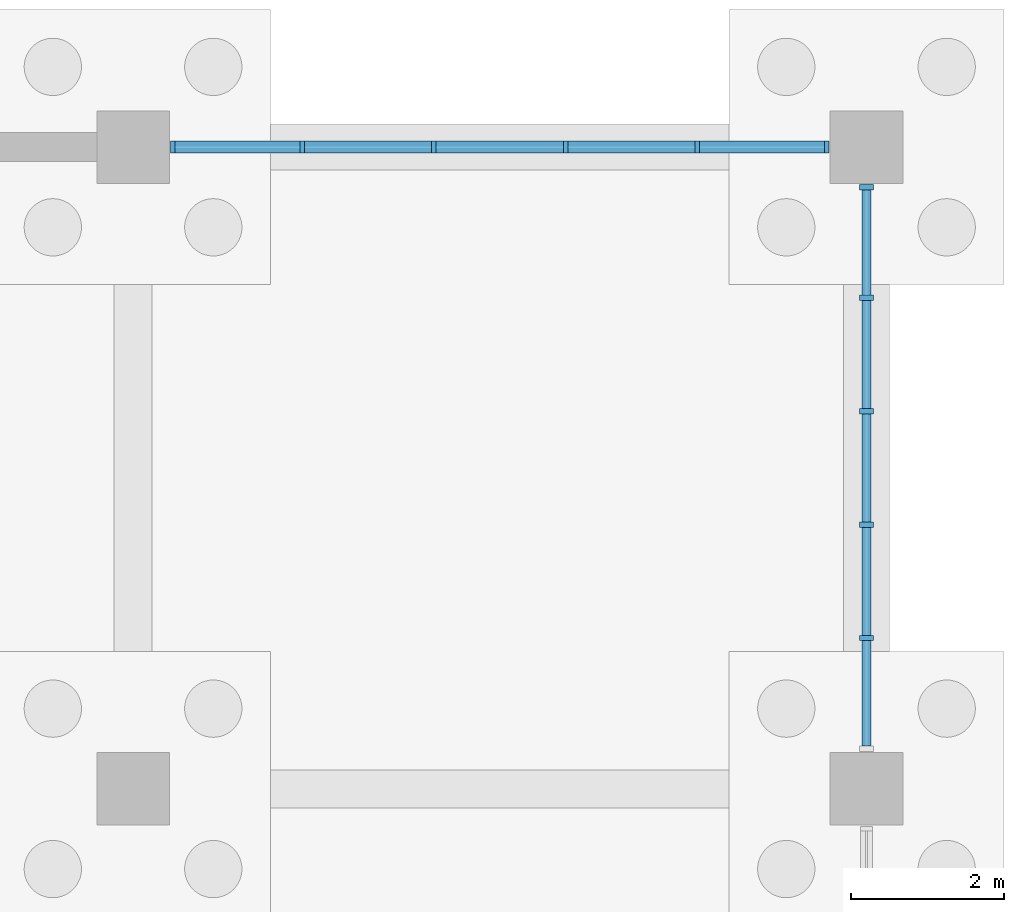
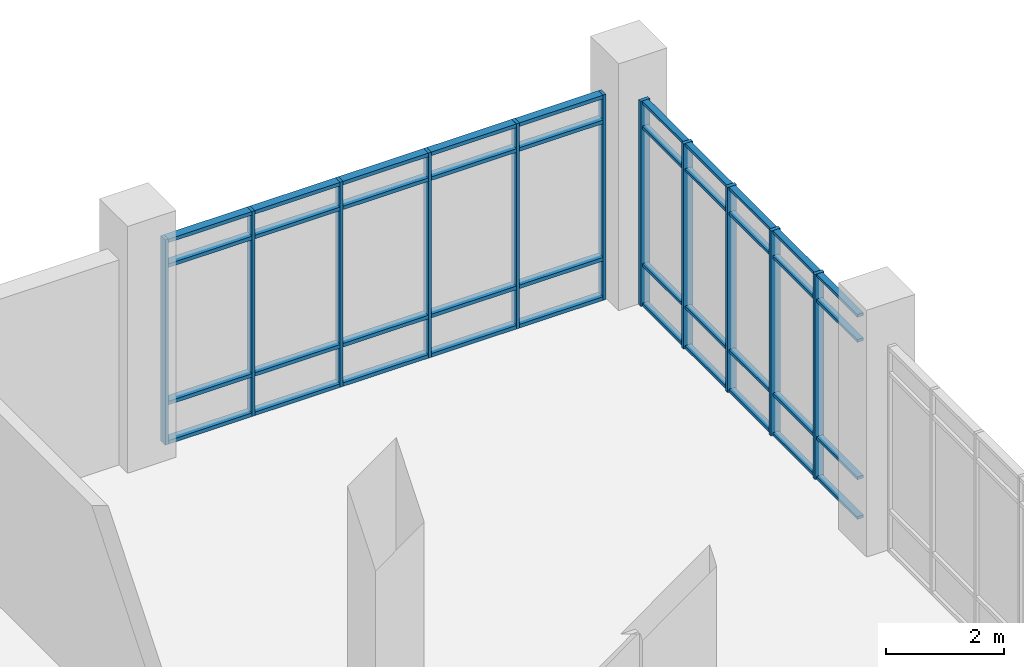
# One storey, part 72 of 136: 51 members, 2 elements without a shape of their own.
"""IFC4 building model written with IfcOpenShell, lengths in metres."""

from ifc_helpers import new_model, si_unit, direction, frame, origin, origin_2d, place, context, subcontext, project, spatial, rectangle, extrude, material, material_profile, profile_set, type_object, element, aggregate, save


model = new_model("IFC4")

# Units and contexts
model_context = context("Model", 3, precision=1e-05, world=origin(), true_north=direction((0.0, 1.0)))
body_context = subcontext(model_context, "Body", "Model", "MODEL_VIEW")
ifc_project = project(units=[si_unit("LENGTHUNIT", "METRE"), si_unit("AREAUNIT", "SQUARE_METRE"), si_unit("VOLUMEUNIT", "CUBIC_METRE"), si_unit("PLANEANGLEUNIT", "RADIAN"), si_unit("MASSUNIT", "GRAM", prefix="KILO")], contexts=[model_context])

# Site, building, storey
site_placement = place(None, origin())
site = spatial("IfcSite", under=ifc_project, at=site_placement, CompositionType="ELEMENT")
building_placement = place(site_placement, origin())
building = spatial("IfcBuilding", under=site, at=building_placement, Name="Oolite Switchyard Hospital", CompositionType="ELEMENT")
storey_placement = place(building_placement, origin())
storey = spatial("IfcBuildingStorey", under=building, at=storey_placement, Name="L00", CompositionType="ELEMENT", Elevation=0.0)

# Curtain wall, members
ifc_material_1 = material(Name="Thermally broken aluminum frame with laminated impact glazing", Category="aluminium")
curtain_wall_type_1 = type_object("IfcCurtainWallType", Name="CW-UNIT-96X51", PredefinedType="USERDEFINED", material=ifc_material_1)
curtain_wall_1_placement = place(storey_placement, origin())
curtain_wall_1 = element("IfcCurtainWall", 1, at=curtain_wall_1_placement, inside=storey, type_object=curtain_wall_type_1, Name="L00 Unitised Curtain Wall 51", ObjectType="UNITISED", PredefinedType="USERDEFINED")
ifc_material_2 = material(Name="Aluminium 6063-T6", Category="aluminium")
ifc_material_profile_1 = material_profile(ifc_material_2, rectangle(XDim=0.159912109375, YDim=0.06005859375, at=origin_2d()), Name="CWM60X160")
ifc_profile_set_1 = profile_set([ifc_material_profile_1], Name="Aluminium 6063-T6")
member_type_1 = type_object("IfcMemberType", Name="CW-MUL-180", PredefinedType="MULLION", material=ifc_profile_set_1)
member_1_placement = place(storey_placement, frame((202.1201171875, 134.39990234375, 0.0), z_axis=(0.0, 0.0, 1.0), x_axis=(0.0, 1.0, 0.0)))
member_1 = element("IfcMember", 2, at=member_1_placement, type_object=member_type_1, Name="CW-01 mullion 1", PredefinedType="MULLION", context=body_context, shape_type="SweptSolid", body=[
    extrude(rectangle(XDim=0.159912109375, YDim=0.06005859375, at=origin_2d()), origin(), (0.0, 0.0, 1.0), 4.239990234375),
])
member_2_placement = place(storey_placement, frame((203.81396484375, 134.39990234375, 0.0), z_axis=(0.0, 0.0, 1.0), x_axis=(0.0, 1.0, 0.0)))
member_2 = element("IfcMember", 3, at=member_2_placement, type_object=member_type_1, Name="CW-01 mullion 2", PredefinedType="MULLION", context=body_context, shape_type="SweptSolid", body=[
    extrude(rectangle(XDim=0.159912109375, YDim=0.06005859375, at=origin_2d()), origin(), (0.0, 0.0, 1.0), 4.239990234375),
])
member_3_placement = place(storey_placement, frame((205.5380859375, 134.39990234375, 0.0), z_axis=(0.0, 0.0, 1.0), x_axis=(0.0, 1.0, 0.0)))
member_3 = element("IfcMember", 4, at=member_3_placement, type_object=member_type_1, Name="CW-01 mullion 3", PredefinedType="MULLION", context=body_context, shape_type="SweptSolid", body=[
    extrude(rectangle(XDim=0.159912109375, YDim=0.06005859375, at=origin_2d()), origin(), (0.0, 0.0, 1.0), 4.239990234375),
])
member_4_placement = place(storey_placement, frame((207.261962890625, 134.39990234375, 0.0), z_axis=(0.0, 0.0, 1.0), x_axis=(0.0, 1.0, 0.0)))
member_4 = element("IfcMember", 5, at=member_4_placement, type_object=member_type_1, Name="CW-01 mullion 4", PredefinedType="MULLION", context=body_context, shape_type="SweptSolid", body=[
    extrude(rectangle(XDim=0.159912109375, YDim=0.06005859375, at=origin_2d()), origin(), (0.0, 0.0, 1.0), 4.239990234375),
])
member_5_placement = place(storey_placement, frame((208.986083984375, 134.39990234375, 0.0), z_axis=(0.0, 0.0, 1.0), x_axis=(0.0, 1.0, 0.0)))
member_5 = element("IfcMember", 6, at=member_5_placement, type_object=member_type_1, Name="CW-01 mullion 5", PredefinedType="MULLION", context=body_context, shape_type="SweptSolid", body=[
    extrude(rectangle(XDim=0.159912109375, YDim=0.06005859375, at=origin_2d()), origin(), (0.0, 0.0, 1.0), 4.239990234375),
])
member_6_placement = place(storey_placement, frame((210.679931640625, 134.39990234375, 0.0), z_axis=(0.0, 0.0, 1.0), x_axis=(0.0, 1.0, 0.0)))
member_6 = element("IfcMember", 7, at=member_6_placement, type_object=member_type_1, Name="CW-01 mullion 6", PredefinedType="MULLION", context=body_context, shape_type="SweptSolid", body=[
    extrude(rectangle(XDim=0.159912109375, YDim=0.06005859375, at=origin_2d()), origin(), (0.0, 0.0, 1.0), 4.239990234375),
])

curtain_wall_type_2 = type_object("IfcCurtainWallType", Name="CW-UNIT-84X51", PredefinedType="USERDEFINED", material=ifc_material_1)
curtain_wall_2_placement = place(storey_placement, origin())
curtain_wall_2 = element("IfcCurtainWall", 8, at=curtain_wall_2_placement, inside=storey, type_object=curtain_wall_type_2, Name="L00 Unitised Curtain Wall 94", ObjectType="UNITISED", PredefinedType="USERDEFINED")
ifc_material_profile_2 = material_profile(ifc_material_2, rectangle(XDim=0.179931640625, YDim=0.070068359375, at=origin_2d()), Name="CWM70X180")
ifc_profile_set_2 = profile_set([ifc_material_profile_2], Name="Aluminium 6063-T6")
member_type_2 = type_object("IfcMemberType", Name="CW-MUL-220", PredefinedType="MULLION", material=ifc_profile_set_2)
member_7_placement = place(storey_placement, frame((211.199951171875, 133.875, 0.0), z_axis=(0.0, 0.0, 1.0), x_axis=(1.0, 0.0, 0.0)))
member_7 = element("IfcMember", 9, at=member_7_placement, type_object=member_type_2, Name="CW-06 mullion 1", PredefinedType="MULLION", context=body_context, shape_type="SweptSolid", body=[
    extrude(rectangle(XDim=0.179931640625, YDim=0.070068359375, at=origin_2d()), origin(), (0.0, 0.0, 1.0), 4.239990234375),
])
member_8_placement = place(storey_placement, frame((211.199951171875, 132.426025390625, 0.0), z_axis=(0.0, 0.0, 1.0), x_axis=(1.0, 0.0, 0.0)))
member_8 = element("IfcMember", 10, at=member_8_placement, type_object=member_type_2, Name="CW-06 mullion 2", PredefinedType="MULLION", context=body_context, shape_type="SweptSolid", body=[
    extrude(rectangle(XDim=0.179931640625, YDim=0.070068359375, at=origin_2d()), origin(), (0.0, 0.0, 1.0), 4.239990234375),
])
member_9_placement = place(storey_placement, frame((211.199951171875, 130.94189453125, 0.0), z_axis=(0.0, 0.0, 1.0), x_axis=(1.0, 0.0, 0.0)))
member_9 = element("IfcMember", 11, at=member_9_placement, type_object=member_type_2, Name="CW-06 mullion 3", PredefinedType="MULLION", context=body_context, shape_type="SweptSolid", body=[
    extrude(rectangle(XDim=0.179931640625, YDim=0.070068359375, at=origin_2d()), origin(), (0.0, 0.0, 1.0), 4.239990234375),
])
member_10_placement = place(storey_placement, frame((211.199951171875, 129.4580078125, 0.0), z_axis=(0.0, 0.0, 1.0), x_axis=(1.0, 0.0, 0.0)))
member_10 = element("IfcMember", 12, at=member_10_placement, type_object=member_type_2, Name="CW-06 mullion 4", PredefinedType="MULLION", context=body_context, shape_type="SweptSolid", body=[
    extrude(rectangle(XDim=0.179931640625, YDim=0.070068359375, at=origin_2d()), origin(), (0.0, 0.0, 1.0), 4.239990234375),
])
member_11_placement = place(storey_placement, frame((211.199951171875, 127.97412109375, 0.0), z_axis=(0.0, 0.0, 1.0), x_axis=(1.0, 0.0, 0.0)))
member_11 = element("IfcMember", 13, at=member_11_placement, type_object=member_type_2, Name="CW-06 mullion 5", PredefinedType="MULLION", context=body_context, shape_type="SweptSolid", body=[
    extrude(rectangle(XDim=0.179931640625, YDim=0.070068359375, at=origin_2d()), origin(), (0.0, 0.0, 1.0), 4.239990234375),
])
ifc_material_profile_3 = material_profile(ifc_material_2, rectangle(XDim=0.1201171875, YDim=0.06005859375, at=origin_2d()), Name="CWT60X120")
ifc_profile_set_3 = profile_set([ifc_material_profile_3], Name="Aluminium 6063-T6")
member_type_3 = type_object("IfcMemberType", Name="CW-TRN-150", PredefinedType="USERDEFINED", material=ifc_profile_set_3)
member_12_placement = place(storey_placement, frame((211.199951171875, 133.840087890625, 0.030029296875), z_axis=(0.0, -1.0, 0.0), x_axis=(1.0, 0.0, 0.0)))
member_12 = element("IfcMember", 14, at=member_12_placement, type_object=member_type_3, Name="CW-06 transom 1.1", ObjectType="TRANSOM", PredefinedType="USERDEFINED", context=body_context, shape_type="SweptSolid", body=[
    extrude(rectangle(XDim=0.1201171875, YDim=0.06005859375, at=origin_2d()), origin(), (0.0, 0.0, 1.0), 1.379150390625),
])
member_13_placement = place(storey_placement, frame((211.199951171875, 133.840087890625, 0.85009765625), z_axis=(0.0, -1.0, 0.0), x_axis=(1.0, 0.0, 0.0)))
member_13 = element("IfcMember", 15, at=member_13_placement, type_object=member_type_3, Name="CW-06 transom 1.2", ObjectType="TRANSOM", PredefinedType="USERDEFINED", context=body_context, shape_type="SweptSolid", body=[
    extrude(rectangle(XDim=0.1201171875, YDim=0.06005859375, at=origin_2d()), origin(), (0.0, 0.0, 1.0), 1.379150390625),
])
member_14_placement = place(storey_placement, frame((211.199951171875, 133.840087890625, 3.68994140625), z_axis=(0.0, -1.0, 0.0), x_axis=(1.0, 0.0, 0.0)))
member_14 = element("IfcMember", 16, at=member_14_placement, type_object=member_type_3, Name="CW-06 transom 1.3", ObjectType="TRANSOM", PredefinedType="USERDEFINED", context=body_context, shape_type="SweptSolid", body=[
    extrude(rectangle(XDim=0.1201171875, YDim=0.06005859375, at=origin_2d()), origin(), (0.0, 0.0, 1.0), 1.379150390625),
])
member_15_placement = place(storey_placement, frame((211.199951171875, 133.840087890625, 4.2099609375), z_axis=(0.0, -1.0, 0.0), x_axis=(1.0, 0.0, 0.0)))
member_15 = element("IfcMember", 17, at=member_15_placement, type_object=member_type_3, Name="CW-06 transom 1.4", ObjectType="TRANSOM", PredefinedType="USERDEFINED", context=body_context, shape_type="SweptSolid", body=[
    extrude(rectangle(XDim=0.1201171875, YDim=0.06005859375, at=origin_2d()), origin(), (0.0, 0.0, 1.0), 1.379150390625),
])
member_16_placement = place(storey_placement, frame((211.199951171875, 132.39111328125, 0.030029296875), z_axis=(0.0, -1.0, 0.0), x_axis=(1.0, 0.0, 0.0)))
member_16 = element("IfcMember", 18, at=member_16_placement, type_object=member_type_3, Name="CW-06 transom 2.1", ObjectType="TRANSOM", PredefinedType="USERDEFINED", context=body_context, shape_type="SweptSolid", body=[
    extrude(rectangle(XDim=0.1201171875, YDim=0.06005859375, at=origin_2d()), origin(), (0.0, 0.0, 1.0), 1.4140625),
])
member_17_placement = place(storey_placement, frame((211.199951171875, 132.39111328125, 0.85009765625), z_axis=(0.0, -1.0, 0.0), x_axis=(1.0, 0.0, 0.0)))
member_17 = element("IfcMember", 19, at=member_17_placement, type_object=member_type_3, Name="CW-06 transom 2.2", ObjectType="TRANSOM", PredefinedType="USERDEFINED", context=body_context, shape_type="SweptSolid", body=[
    extrude(rectangle(XDim=0.1201171875, YDim=0.06005859375, at=origin_2d()), origin(), (0.0, 0.0, 1.0), 1.4140625),
])
member_18_placement = place(storey_placement, frame((211.199951171875, 132.39111328125, 3.68994140625), z_axis=(0.0, -1.0, 0.0), x_axis=(1.0, 0.0, 0.0)))
member_18 = element("IfcMember", 20, at=member_18_placement, type_object=member_type_3, Name="CW-06 transom 2.3", ObjectType="TRANSOM", PredefinedType="USERDEFINED", context=body_context, shape_type="SweptSolid", body=[
    extrude(rectangle(XDim=0.1201171875, YDim=0.06005859375, at=origin_2d()), origin(), (0.0, 0.0, 1.0), 1.4140625),
])
member_19_placement = place(storey_placement, frame((211.199951171875, 132.39111328125, 4.2099609375), z_axis=(0.0, -1.0, 0.0), x_axis=(1.0, 0.0, 0.0)))
member_19 = element("IfcMember", 21, at=member_19_placement, type_object=member_type_3, Name="CW-06 transom 2.4", ObjectType="TRANSOM", PredefinedType="USERDEFINED", context=body_context, shape_type="SweptSolid", body=[
    extrude(rectangle(XDim=0.1201171875, YDim=0.06005859375, at=origin_2d()), origin(), (0.0, 0.0, 1.0), 1.4140625),
])
member_20_placement = place(storey_placement, frame((211.199951171875, 130.906982421875, 0.030029296875), z_axis=(0.0, -1.0, 0.0), x_axis=(1.0, 0.0, 0.0)))
member_20 = element("IfcMember", 22, at=member_20_placement, type_object=member_type_3, Name="CW-06 transom 3.1", ObjectType="TRANSOM", PredefinedType="USERDEFINED", context=body_context, shape_type="SweptSolid", body=[
    extrude(rectangle(XDim=0.1201171875, YDim=0.06005859375, at=origin_2d()), origin(), (0.0, 0.0, 1.0), 1.4140625),
])
member_21_placement = place(storey_placement, frame((211.199951171875, 130.906982421875, 0.85009765625), z_axis=(0.0, -1.0, 0.0), x_axis=(1.0, 0.0, 0.0)))
member_21 = element("IfcMember", 23, at=member_21_placement, type_object=member_type_3, Name="CW-06 transom 3.2", ObjectType="TRANSOM", PredefinedType="USERDEFINED", context=body_context, shape_type="SweptSolid", body=[
    extrude(rectangle(XDim=0.1201171875, YDim=0.06005859375, at=origin_2d()), origin(), (0.0, 0.0, 1.0), 1.4140625),
])
member_22_placement = place(storey_placement, frame((211.199951171875, 130.906982421875, 3.68994140625), z_axis=(0.0, -1.0, 0.0), x_axis=(1.0, 0.0, 0.0)))
member_22 = element("IfcMember", 24, at=member_22_placement, type_object=member_type_3, Name="CW-06 transom 3.3", ObjectType="TRANSOM", PredefinedType="USERDEFINED", context=body_context, shape_type="SweptSolid", body=[
    extrude(rectangle(XDim=0.1201171875, YDim=0.06005859375, at=origin_2d()), origin(), (0.0, 0.0, 1.0), 1.4140625),
])
member_23_placement = place(storey_placement, frame((211.199951171875, 130.906982421875, 4.2099609375), z_axis=(0.0, -1.0, 0.0), x_axis=(1.0, 0.0, 0.0)))
member_23 = element("IfcMember", 25, at=member_23_placement, type_object=member_type_3, Name="CW-06 transom 3.4", ObjectType="TRANSOM", PredefinedType="USERDEFINED", context=body_context, shape_type="SweptSolid", body=[
    extrude(rectangle(XDim=0.1201171875, YDim=0.06005859375, at=origin_2d()), origin(), (0.0, 0.0, 1.0), 1.4140625),
])
member_24_placement = place(storey_placement, frame((211.199951171875, 129.423095703125, 0.030029296875), z_axis=(0.0, -1.0, 0.0), x_axis=(1.0, 0.0, 0.0)))
member_24 = element("IfcMember", 26, at=member_24_placement, type_object=member_type_3, Name="CW-06 transom 4.1", ObjectType="TRANSOM", PredefinedType="USERDEFINED", context=body_context, shape_type="SweptSolid", body=[
    extrude(rectangle(XDim=0.1201171875, YDim=0.06005859375, at=origin_2d()), origin(), (0.0, 0.0, 1.0), 1.4140625),
])
member_25_placement = place(storey_placement, frame((211.199951171875, 129.423095703125, 0.85009765625), z_axis=(0.0, -1.0, 0.0), x_axis=(1.0, 0.0, 0.0)))
member_25 = element("IfcMember", 27, at=member_25_placement, type_object=member_type_3, Name="CW-06 transom 4.2", ObjectType="TRANSOM", PredefinedType="USERDEFINED", context=body_context, shape_type="SweptSolid", body=[
    extrude(rectangle(XDim=0.1201171875, YDim=0.06005859375, at=origin_2d()), origin(), (0.0, 0.0, 1.0), 1.4140625),
])
member_26_placement = place(storey_placement, frame((211.199951171875, 129.423095703125, 3.68994140625), z_axis=(0.0, -1.0, 0.0), x_axis=(1.0, 0.0, 0.0)))
member_26 = element("IfcMember", 28, at=member_26_placement, type_object=member_type_3, Name="CW-06 transom 4.3", ObjectType="TRANSOM", PredefinedType="USERDEFINED", context=body_context, shape_type="SweptSolid", body=[
    extrude(rectangle(XDim=0.1201171875, YDim=0.06005859375, at=origin_2d()), origin(), (0.0, 0.0, 1.0), 1.4140625),
])
member_27_placement = place(storey_placement, frame((211.199951171875, 129.423095703125, 4.2099609375), z_axis=(0.0, -1.0, 0.0), x_axis=(1.0, 0.0, 0.0)))
member_27 = element("IfcMember", 29, at=member_27_placement, type_object=member_type_3, Name="CW-06 transom 4.4", ObjectType="TRANSOM", PredefinedType="USERDEFINED", context=body_context, shape_type="SweptSolid", body=[
    extrude(rectangle(XDim=0.1201171875, YDim=0.06005859375, at=origin_2d()), origin(), (0.0, 0.0, 1.0), 1.4140625),
])
member_28_placement = place(storey_placement, frame((211.199951171875, 127.93896484375, 0.030029296875), z_axis=(0.0, -1.0, 0.0), x_axis=(1.0, 0.0, 0.0)))
member_28 = element("IfcMember", 30, at=member_28_placement, type_object=member_type_3, Name="CW-06 transom 5.1", ObjectType="TRANSOM", PredefinedType="USERDEFINED", context=body_context, shape_type="SweptSolid", body=[
    extrude(rectangle(XDim=0.1201171875, YDim=0.06005859375, at=origin_2d()), origin(), (0.0, 0.0, 1.0), 1.37890625),
])
member_29_placement = place(storey_placement, frame((211.199951171875, 127.93896484375, 0.85009765625), z_axis=(0.0, -1.0, 0.0), x_axis=(1.0, 0.0, 0.0)))
member_29 = element("IfcMember", 31, at=member_29_placement, type_object=member_type_3, Name="CW-06 transom 5.2", ObjectType="TRANSOM", PredefinedType="USERDEFINED", context=body_context, shape_type="SweptSolid", body=[
    extrude(rectangle(XDim=0.1201171875, YDim=0.06005859375, at=origin_2d()), origin(), (0.0, 0.0, 1.0), 1.37890625),
])
member_30_placement = place(storey_placement, frame((211.199951171875, 127.93896484375, 3.68994140625), z_axis=(0.0, -1.0, 0.0), x_axis=(1.0, 0.0, 0.0)))
member_30 = element("IfcMember", 32, at=member_30_placement, type_object=member_type_3, Name="CW-06 transom 5.3", ObjectType="TRANSOM", PredefinedType="USERDEFINED", context=body_context, shape_type="SweptSolid", body=[
    extrude(rectangle(XDim=0.1201171875, YDim=0.06005859375, at=origin_2d()), origin(), (0.0, 0.0, 1.0), 1.37890625),
])
member_31_placement = place(storey_placement, frame((211.199951171875, 127.93896484375, 4.2099609375), z_axis=(0.0, -1.0, 0.0), x_axis=(1.0, 0.0, 0.0)))
member_31 = element("IfcMember", 33, at=member_31_placement, type_object=member_type_3, Name="CW-06 transom 5.4", ObjectType="TRANSOM", PredefinedType="USERDEFINED", context=body_context, shape_type="SweptSolid", body=[
    extrude(rectangle(XDim=0.1201171875, YDim=0.06005859375, at=origin_2d()), origin(), (0.0, 0.0, 1.0), 1.37890625),
])
aggregate(curtain_wall_2, [member_7, member_8, member_9, member_10, member_11, member_12, member_13, member_14, member_15, member_16, member_17, member_18, member_19, member_20, member_21, member_22, member_23, member_24, member_25, member_26, member_27, member_28, member_29, member_30, member_31])

# Member
ifc_material_profile_4 = material_profile(ifc_material_2, rectangle(XDim=0.159912109375, YDim=0.074951171875, at=origin_2d()), Name="CWT75X160")
ifc_profile_set_4 = profile_set([ifc_material_profile_4], Name="Aluminium 6063-T6")
member_type_4 = type_object("IfcMemberType", Name="CW-TRN-180", PredefinedType="USERDEFINED", material=ifc_profile_set_4)
member_32_placement = place(storey_placement, frame((202.14990234375, 134.39990234375, 0.03759765625), z_axis=(1.0, 0.0, 0.0), x_axis=(0.0, 1.0, 0.0)))
member_32 = element("IfcMember", 34, at=member_32_placement, type_object=member_type_4, Name="CW-01 transom 1.1", ObjectType="TRANSOM", PredefinedType="USERDEFINED", context=body_context, shape_type="SweptSolid", body=[
    extrude(rectangle(XDim=0.159912109375, YDim=0.074951171875, at=origin_2d()), origin(), (0.0, 0.0, 1.0), 1.634033203125),
])

member_33_placement = place(storey_placement, frame((202.14990234375, 134.39990234375, 0.85009765625), z_axis=(1.0, 0.0, 0.0), x_axis=(0.0, 1.0, 0.0)))
member_33 = element("IfcMember", 35, at=member_33_placement, type_object=member_type_4, Name="CW-01 transom 1.2", ObjectType="TRANSOM", PredefinedType="USERDEFINED", context=body_context, shape_type="SweptSolid", body=[
    extrude(rectangle(XDim=0.159912109375, YDim=0.074951171875, at=origin_2d()), origin(), (0.0, 0.0, 1.0), 1.634033203125),
])

member_34_placement = place(storey_placement, frame((202.14990234375, 134.39990234375, 3.68994140625), z_axis=(1.0, 0.0, 0.0), x_axis=(0.0, 1.0, 0.0)))
member_34 = element("IfcMember", 36, at=member_34_placement, type_object=member_type_4, Name="CW-01 transom 1.3", ObjectType="TRANSOM", PredefinedType="USERDEFINED", context=body_context, shape_type="SweptSolid", body=[
    extrude(rectangle(XDim=0.159912109375, YDim=0.074951171875, at=origin_2d()), origin(), (0.0, 0.0, 1.0), 1.634033203125),
])

member_35_placement = place(storey_placement, frame((202.14990234375, 134.39990234375, 4.202392578125), z_axis=(1.0, 0.0, 0.0), x_axis=(0.0, 1.0, 0.0)))
member_35 = element("IfcMember", 37, at=member_35_placement, type_object=member_type_4, Name="CW-01 transom 1.4", ObjectType="TRANSOM", PredefinedType="USERDEFINED", context=body_context, shape_type="SweptSolid", body=[
    extrude(rectangle(XDim=0.159912109375, YDim=0.074951171875, at=origin_2d()), origin(), (0.0, 0.0, 1.0), 1.634033203125),
])

member_36_placement = place(storey_placement, frame((203.843994140625, 134.39990234375, 0.03759765625), z_axis=(1.0, 0.0, 0.0), x_axis=(0.0, 1.0, 0.0)))
member_36 = element("IfcMember", 38, at=member_36_placement, type_object=member_type_4, Name="CW-01 transom 2.1", ObjectType="TRANSOM", PredefinedType="USERDEFINED", context=body_context, shape_type="SweptSolid", body=[
    extrude(rectangle(XDim=0.159912109375, YDim=0.074951171875, at=origin_2d()), origin(), (0.0, 0.0, 1.0), 1.6640625),
])

member_37_placement = place(storey_placement, frame((203.843994140625, 134.39990234375, 0.85009765625), z_axis=(1.0, 0.0, 0.0), x_axis=(0.0, 1.0, 0.0)))
member_37 = element("IfcMember", 39, at=member_37_placement, type_object=member_type_4, Name="CW-01 transom 2.2", ObjectType="TRANSOM", PredefinedType="USERDEFINED", context=body_context, shape_type="SweptSolid", body=[
    extrude(rectangle(XDim=0.159912109375, YDim=0.074951171875, at=origin_2d()), origin(), (0.0, 0.0, 1.0), 1.6640625),
])

member_38_placement = place(storey_placement, frame((203.843994140625, 134.39990234375, 3.68994140625), z_axis=(1.0, 0.0, 0.0), x_axis=(0.0, 1.0, 0.0)))
member_38 = element("IfcMember", 40, at=member_38_placement, type_object=member_type_4, Name="CW-01 transom 2.3", ObjectType="TRANSOM", PredefinedType="USERDEFINED", context=body_context, shape_type="SweptSolid", body=[
    extrude(rectangle(XDim=0.159912109375, YDim=0.074951171875, at=origin_2d()), origin(), (0.0, 0.0, 1.0), 1.6640625),
])

member_39_placement = place(storey_placement, frame((203.843994140625, 134.39990234375, 4.202392578125), z_axis=(1.0, 0.0, 0.0), x_axis=(0.0, 1.0, 0.0)))
member_39 = element("IfcMember", 41, at=member_39_placement, type_object=member_type_4, Name="CW-01 transom 2.4", ObjectType="TRANSOM", PredefinedType="USERDEFINED", context=body_context, shape_type="SweptSolid", body=[
    extrude(rectangle(XDim=0.159912109375, YDim=0.074951171875, at=origin_2d()), origin(), (0.0, 0.0, 1.0), 1.6640625),
])

member_40_placement = place(storey_placement, frame((205.568115234375, 134.39990234375, 0.03759765625), z_axis=(1.0, 0.0, 0.0), x_axis=(0.0, 1.0, 0.0)))
member_40 = element("IfcMember", 42, at=member_40_placement, type_object=member_type_4, Name="CW-01 transom 3.1", ObjectType="TRANSOM", PredefinedType="USERDEFINED", context=body_context, shape_type="SweptSolid", body=[
    extrude(rectangle(XDim=0.159912109375, YDim=0.074951171875, at=origin_2d()), origin(), (0.0, 0.0, 1.0), 1.663818359375),
])

member_41_placement = place(storey_placement, frame((205.568115234375, 134.39990234375, 0.85009765625), z_axis=(1.0, 0.0, 0.0), x_axis=(0.0, 1.0, 0.0)))
member_41 = element("IfcMember", 43, at=member_41_placement, type_object=member_type_4, Name="CW-01 transom 3.2", ObjectType="TRANSOM", PredefinedType="USERDEFINED", context=body_context, shape_type="SweptSolid", body=[
    extrude(rectangle(XDim=0.159912109375, YDim=0.074951171875, at=origin_2d()), origin(), (0.0, 0.0, 1.0), 1.663818359375),
])

member_42_placement = place(storey_placement, frame((205.568115234375, 134.39990234375, 3.68994140625), z_axis=(1.0, 0.0, 0.0), x_axis=(0.0, 1.0, 0.0)))
member_42 = element("IfcMember", 44, at=member_42_placement, type_object=member_type_4, Name="CW-01 transom 3.3", ObjectType="TRANSOM", PredefinedType="USERDEFINED", context=body_context, shape_type="SweptSolid", body=[
    extrude(rectangle(XDim=0.159912109375, YDim=0.074951171875, at=origin_2d()), origin(), (0.0, 0.0, 1.0), 1.663818359375),
])

member_43_placement = place(storey_placement, frame((205.568115234375, 134.39990234375, 4.202392578125), z_axis=(1.0, 0.0, 0.0), x_axis=(0.0, 1.0, 0.0)))
member_43 = element("IfcMember", 45, at=member_43_placement, type_object=member_type_4, Name="CW-01 transom 3.4", ObjectType="TRANSOM", PredefinedType="USERDEFINED", context=body_context, shape_type="SweptSolid", body=[
    extrude(rectangle(XDim=0.159912109375, YDim=0.074951171875, at=origin_2d()), origin(), (0.0, 0.0, 1.0), 1.663818359375),
])

member_44_placement = place(storey_placement, frame((207.2919921875, 134.39990234375, 0.03759765625), z_axis=(1.0, 0.0, 0.0), x_axis=(0.0, 1.0, 0.0)))
member_44 = element("IfcMember", 46, at=member_44_placement, type_object=member_type_4, Name="CW-01 transom 4.1", ObjectType="TRANSOM", PredefinedType="USERDEFINED", context=body_context, shape_type="SweptSolid", body=[
    extrude(rectangle(XDim=0.159912109375, YDim=0.074951171875, at=origin_2d()), origin(), (0.0, 0.0, 1.0), 1.6640625),
])

member_45_placement = place(storey_placement, frame((207.2919921875, 134.39990234375, 0.85009765625), z_axis=(1.0, 0.0, 0.0), x_axis=(0.0, 1.0, 0.0)))
member_45 = element("IfcMember", 47, at=member_45_placement, type_object=member_type_4, Name="CW-01 transom 4.2", ObjectType="TRANSOM", PredefinedType="USERDEFINED", context=body_context, shape_type="SweptSolid", body=[
    extrude(rectangle(XDim=0.159912109375, YDim=0.074951171875, at=origin_2d()), origin(), (0.0, 0.0, 1.0), 1.6640625),
])

member_46_placement = place(storey_placement, frame((207.2919921875, 134.39990234375, 3.68994140625), z_axis=(1.0, 0.0, 0.0), x_axis=(0.0, 1.0, 0.0)))
member_46 = element("IfcMember", 48, at=member_46_placement, type_object=member_type_4, Name="CW-01 transom 4.3", ObjectType="TRANSOM", PredefinedType="USERDEFINED", context=body_context, shape_type="SweptSolid", body=[
    extrude(rectangle(XDim=0.159912109375, YDim=0.074951171875, at=origin_2d()), origin(), (0.0, 0.0, 1.0), 1.6640625),
])

member_47_placement = place(storey_placement, frame((207.2919921875, 134.39990234375, 4.202392578125), z_axis=(1.0, 0.0, 0.0), x_axis=(0.0, 1.0, 0.0)))
member_47 = element("IfcMember", 49, at=member_47_placement, type_object=member_type_4, Name="CW-01 transom 4.4", ObjectType="TRANSOM", PredefinedType="USERDEFINED", context=body_context, shape_type="SweptSolid", body=[
    extrude(rectangle(XDim=0.159912109375, YDim=0.074951171875, at=origin_2d()), origin(), (0.0, 0.0, 1.0), 1.6640625),
])

member_48_placement = place(storey_placement, frame((209.01611328125, 134.39990234375, 0.03759765625), z_axis=(1.0, 0.0, 0.0), x_axis=(0.0, 1.0, 0.0)))
member_48 = element("IfcMember", 50, at=member_48_placement, type_object=member_type_4, Name="CW-01 transom 5.1", ObjectType="TRANSOM", PredefinedType="USERDEFINED", context=body_context, shape_type="SweptSolid", body=[
    extrude(rectangle(XDim=0.159912109375, YDim=0.074951171875, at=origin_2d()), origin(), (0.0, 0.0, 1.0), 1.6337890625),
])

member_49_placement = place(storey_placement, frame((209.01611328125, 134.39990234375, 0.85009765625), z_axis=(1.0, 0.0, 0.0), x_axis=(0.0, 1.0, 0.0)))
member_49 = element("IfcMember", 51, at=member_49_placement, type_object=member_type_4, Name="CW-01 transom 5.2", ObjectType="TRANSOM", PredefinedType="USERDEFINED", context=body_context, shape_type="SweptSolid", body=[
    extrude(rectangle(XDim=0.159912109375, YDim=0.074951171875, at=origin_2d()), origin(), (0.0, 0.0, 1.0), 1.6337890625),
])

member_50_placement = place(storey_placement, frame((209.01611328125, 134.39990234375, 3.68994140625), z_axis=(1.0, 0.0, 0.0), x_axis=(0.0, 1.0, 0.0)))
member_50 = element("IfcMember", 52, at=member_50_placement, type_object=member_type_4, Name="CW-01 transom 5.3", ObjectType="TRANSOM", PredefinedType="USERDEFINED", context=body_context, shape_type="SweptSolid", body=[
    extrude(rectangle(XDim=0.159912109375, YDim=0.074951171875, at=origin_2d()), origin(), (0.0, 0.0, 1.0), 1.6337890625),
])

member_51_placement = place(storey_placement, frame((209.01611328125, 134.39990234375, 4.202392578125), z_axis=(1.0, 0.0, 0.0), x_axis=(0.0, 1.0, 0.0)))
member_51 = element("IfcMember", 53, at=member_51_placement, type_object=member_type_4, Name="CW-01 transom 5.4", ObjectType="TRANSOM", PredefinedType="USERDEFINED", context=body_context, shape_type="SweptSolid", body=[
    extrude(rectangle(XDim=0.159912109375, YDim=0.074951171875, at=origin_2d()), origin(), (0.0, 0.0, 1.0), 1.6337890625),
])

aggregate(curtain_wall_1, [member_1, member_2, member_3, member_4, member_5, member_6, member_32, member_33, member_34, member_35, member_36, member_37, member_38, member_39, member_40, member_41, member_42, member_43, member_44, member_45, member_46, member_47, member_48, member_49, member_50, member_51])

save(model, "model.ifc")
